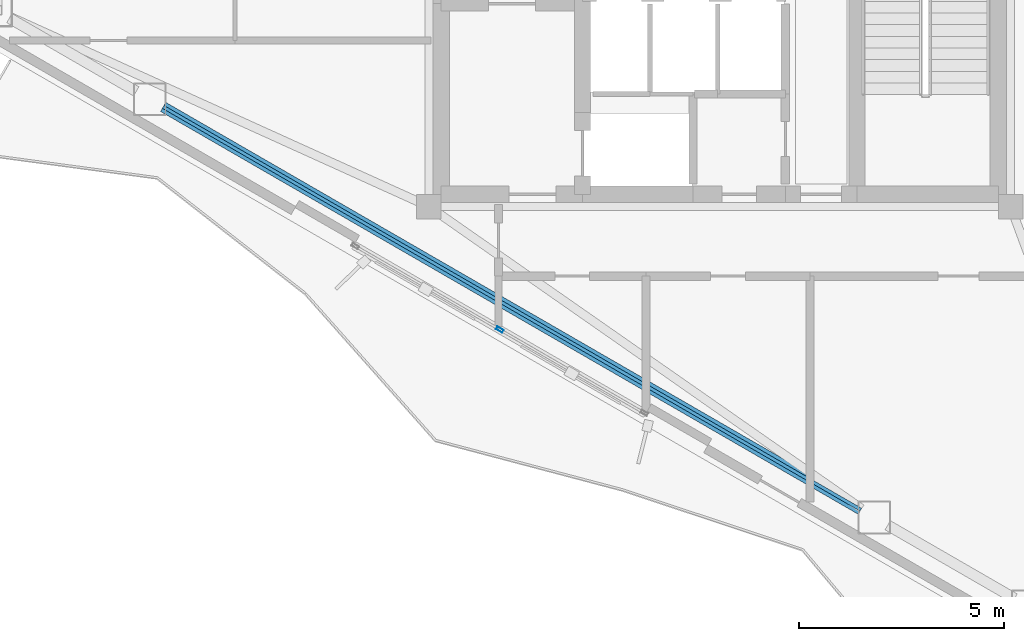
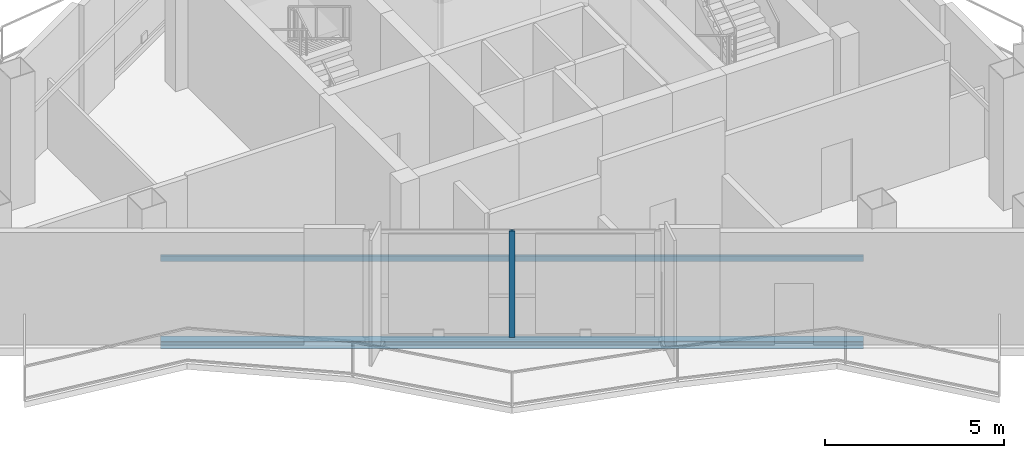
# One storey, part 2 of 14: 2 beams, 1 member, 1 element without a shape of its own.
"""IFC4 building model written with IfcOpenShell, lengths in metres."""

from ifc_helpers import new_model, si_unit, direction, frame, origin, origin_2d, place, context, subcontext, project, spatial, hollow_rectangle, i_section, extrude, material, layer, layer_set, material_profile, profile_set, type_object, element, aggregate, save


model = new_model("IFC4")

# Units and contexts
model_context = context("Model", 3, precision=1e-05, world=origin(), true_north=direction((0.0, 1.0)))
body_context = subcontext(model_context, "Body", "Model", "MODEL_VIEW")
ifc_project = project(units=[si_unit("LENGTHUNIT", "METRE"), si_unit("AREAUNIT", "SQUARE_METRE"), si_unit("VOLUMEUNIT", "CUBIC_METRE"), si_unit("PLANEANGLEUNIT", "RADIAN"), si_unit("MASSUNIT", "GRAM", prefix="KILO")], contexts=[model_context])

# Site, building, storey
site_placement = place(None, origin())
site = spatial("IfcSite", under=ifc_project, at=site_placement, CompositionType="ELEMENT")
building_placement = place(site_placement, origin())
building = spatial("IfcBuilding", under=site, at=building_placement, Name="Mersakhor Tower and Convention Hall", CompositionType="ELEMENT")
storey_placement = place(building_placement, frame((0.0, 0.0, 249.60009765625)))
storey = spatial("IfcBuildingStorey", under=building, at=storey_placement, Name="L70", CompositionType="ELEMENT", Elevation=249.60009765625)

# Beams
ifc_material_1 = material(Name="Steel S355", Category="steel")
ifc_material_profile_1 = material_profile(ifc_material_1, hollow_rectangle(XDim=0.080078125, YDim=0.179931640625, WallThickness=0.008056640625, at=origin_2d()), Name="RHS 180x80x8")
ifc_profile_set_1 = profile_set([ifc_material_profile_1], Name="Steel S355")
beam_type_1 = type_object("IfcBeamType", Name="BM-GRT-RHS180", PredefinedType="USERDEFINED", material=ifc_profile_set_1)
beam_1_placement = place(storey_placement, frame((32.4423828125, 13.050537109375, 2.47998046875), z_axis=(-0.866021610626, 0.500006569886, 0.0), x_axis=(-0.500006569886, -0.866021610626, 0.0)))
element("IfcBeam", 1, at=beam_1_placement, inside=storey, type_object=beam_type_1, Name="L70 Facade Support Girt GRT-F3", ObjectType="GIRT", PredefinedType="USERDEFINED", context=body_context, shape_type="SweptSolid", body=[
    extrude(hollow_rectangle(XDim=0.080078125, YDim=0.179931640625, WallThickness=0.008056640625, at=origin_2d()), origin(), (0.0, 0.0, 1.0), 19.661865234375),
])
ifc_material_2 = material(Name="Steel S355", Category="steel")
ifc_material_profile_2 = material_profile(ifc_material_2, i_section(OverallWidth=0.25634765625, OverallDepth=0.26025390625, WebThickness=0.01025390625, FlangeThickness=0.017333984375, at=origin_2d()), Name="UC 254x254x89")
ifc_profile_set_2 = profile_set([ifc_material_profile_2], Name="Steel S355")
beam_type_2 = type_object("IfcBeamType", Name="BM-SPD-UC254", PredefinedType="SPANDREL", material=ifc_profile_set_2)
beam_2_placement = place(storey_placement, frame((32.4423828125, 13.050537109375, -0.41015625), z_axis=(-0.866021610626, 0.500006569886, 0.0), x_axis=(-0.500006569886, -0.866021610626, 0.0)))
element("IfcBeam", 2, at=beam_2_placement, inside=storey, type_object=beam_type_2, Name="L70 Perimeter Spandrel Beam SPB-10", PredefinedType="SPANDREL", context=body_context, shape_type="SweptSolid", body=[
    extrude(i_section(OverallWidth=0.25634765625, OverallDepth=0.26025390625, WebThickness=0.01025390625, FlangeThickness=0.017333984375, at=origin_2d()), origin(), (0.0, 0.0, 1.0), 19.661865234375),
])

# Curtain wall, member
ifc_material_3 = material(Name="Dark solar low-E aluminium curtain wall", Category="aluminium")
ifc_layer = layer(ifc_material_3, 0.2099609375)
ifc_layer_set = layer_set([ifc_layer], Name="Dark solar low-E aluminium curtain wall")
curtain_wall_type = type_object("IfcCurtainWallType", Name="CW-SYS-06", PredefinedType="USERDEFINED", material=ifc_layer_set)
curtain_wall_placement = place(storey_placement, origin())
curtain_wall = element("IfcCurtainWall", 3, at=curtain_wall_placement, inside=storey, type_object=curtain_wall_type, Name="L70 Dark-Glass Curtain Wall F3-B2", ObjectType="CURTAIN WALL", PredefinedType="USERDEFINED")
ifc_material_4 = material(Name="Anodised aluminium EN AW-6063 T6", Category="aluminium")
ifc_material_profile_3 = material_profile(ifc_material_4, hollow_rectangle(XDim=0.080078125, YDim=0.179931640625, WallThickness=0.008056640625, at=origin_2d()), Name="RHS 180x80x8")
ifc_profile_set_3 = profile_set([ifc_material_profile_3], Name="Anodised aluminium EN AW-6063 T6")
member_type = type_object("IfcMemberType", Name="CWM-180x80", PredefinedType="MULLION", material=ifc_profile_set_3)
member_placement = place(storey_placement, frame((23.628662109375, 17.446533203125, 0.199951171875), z_axis=(0.0, 0.0, 1.0), x_axis=(-0.500004411169, -0.86602285698, 0.0)))
member = element("IfcMember", 4, at=member_placement, type_object=member_type, Name="CW-06 mullion 2", PredefinedType="MULLION", context=body_context, shape_type="SweptSolid", body=[
    extrude(hollow_rectangle(XDim=0.080078125, YDim=0.179931640625, WallThickness=0.008056640625, at=origin_2d()), origin(), (0.0, 0.0, 1.0), 3.639892578125),
])
aggregate(curtain_wall, [member])

save(model, "model.ifc")
